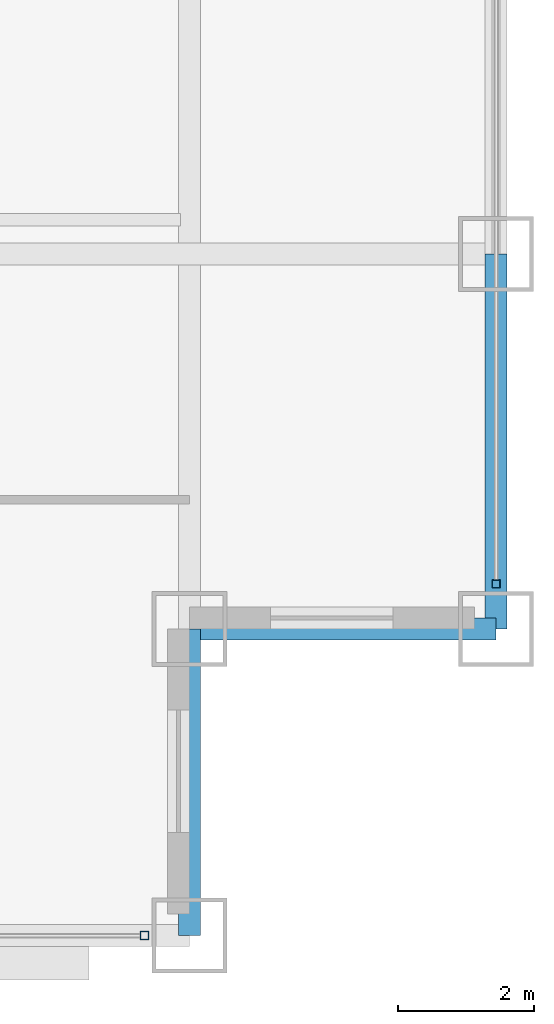
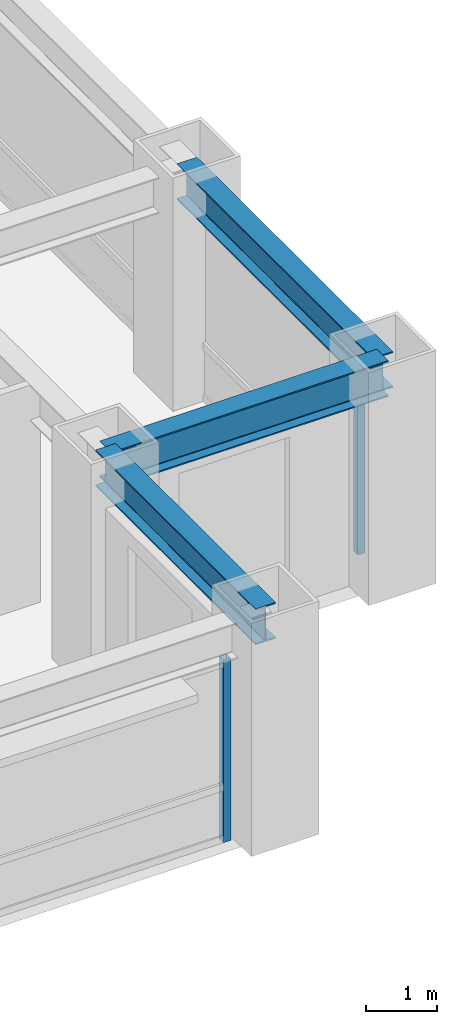
# One storey, part 8 of 28: 3 beams, 2 members, 2 elements without a shape of their own.
"""IFC4 building model written with IfcOpenShell, lengths in metres."""

from ifc_helpers import new_model, si_unit, direction, frame, origin, origin_2d, place, context, subcontext, project, spatial, hollow_rectangle, i_section, extrude, source, transform, mapped, material, material_profile, profile_set, type_object, element, aggregate, save


model = new_model("IFC4")

# Units and contexts
model_context = context("Model", 3, precision=1e-05, world=origin(), true_north=direction((0.0, 1.0)))
body_context = subcontext(model_context, "Body", "Model", "MODEL_VIEW")
ifc_project = project(units=[si_unit("LENGTHUNIT", "METRE"), si_unit("AREAUNIT", "SQUARE_METRE"), si_unit("VOLUMEUNIT", "CUBIC_METRE"), si_unit("PLANEANGLEUNIT", "RADIAN"), si_unit("MASSUNIT", "GRAM", prefix="KILO")], contexts=[model_context])

# Site, building, storey
site_placement = place(None, origin())
site = spatial("IfcSite", under=ifc_project, at=site_placement, CompositionType="ELEMENT")
building_placement = place(site_placement, origin())
building = spatial("IfcBuilding", under=site, at=building_placement, Name="Khorayat Bourse Tower", CompositionType="ELEMENT")
storey_placement = place(building_placement, frame((0.0, 0.0, 187.10009765625)))
storey = spatial("IfcBuildingStorey", under=building, at=storey_placement, Name="L43", CompositionType="ELEMENT", Elevation=187.10009765625)

# Beams
ifc_material_1 = material(Name="Steel ASTM A992 Grade 50", Category="steel")
ifc_material_profile_1 = material_profile(ifc_material_1, i_section(OverallWidth=0.324951171875, OverallDepth=0.615966796875, WebThickness=0.013916015625, FlangeThickness=0.021484375, FilletRadius=0.01611328125, at=origin_2d()), Name="W610X174")
ifc_profile_set_1 = profile_set([ifc_material_profile_1], Name="Steel ASTM A992 Grade 50")
beam_type = type_object("IfcBeamType", Name="BM-SPAN-610", PredefinedType="SPANDREL", material=ifc_profile_set_1)
shared_shape_1 = source(origin(), body_context, "Body", "SweptSolid", [
    extrude(i_section(OverallWidth=0.324951171875, OverallDepth=0.615966796875, WebThickness=0.013916015625, FlangeThickness=0.021484375, FilletRadius=0.01611328125, at=origin_2d()), origin(), (0.0, 0.0, 1.0), 5.5),
])
beam_placement = place(storey_placement, frame((30.0, -25.5, 3.471923828125), z_axis=(0.0, 1.0, 0.0), x_axis=(-1.0, 0.0, 0.0)))
element("IfcBeam", 1, at=beam_placement, inside=storey, type_object=beam_type, Name="L43 BM-SPAN-610 BM-L43-SPN-034", PredefinedType="SPANDREL", context=body_context, shape_type="MappedRepresentation", body=[
    mapped(shared_shape_1, transform((0.0, 0.0, 0.0), scale=1.0)),
])
shared_shape_2 = source(origin(), body_context, "Body", "SweptSolid", [
    extrude(i_section(OverallWidth=0.324951171875, OverallDepth=0.615966796875, WebThickness=0.013916015625, FlangeThickness=0.021484375, FilletRadius=0.01611328125, at=origin_2d()), origin(), (0.0, 0.0, 1.0), 4.5),
])
for number, where, z_axis, x_axis, name in (
    (2, (25.5, -30.0, 3.471923828125), (0.0, 1.0, 0.0), (-1.0, 0.0, 0.0), "L43 BM-SPAN-610 BM-L43-SPN-032"),
    (3, (25.5, -25.5, 3.471923828125), (1.0, 0.0, 0.0), (0.0, 1.0, 0.0), "L43 BM-SPAN-610 BM-L43-SPN-033"),
):
    element("IfcBeam", number, at=place(storey_placement, frame(where, z_axis=z_axis, x_axis=x_axis)), inside=storey, type_object=beam_type, Name=name, PredefinedType="SPANDREL", context=body_context, shape_type="MappedRepresentation", body=[
        mapped(shared_shape_2, transform((0.0, 0.0, 0.0), scale=1.0)),
    ])

# Curtain wall, member
ifc_material_2 = material(Name="Aluminium EN AW-6063 T6", Category="aluminium")
curtain_wall_type = type_object("IfcCurtainWallType", Name="CW-SYS-03", PredefinedType="NOTDEFINED", material=ifc_material_2)
curtain_wall_1_placement = place(storey_placement, origin())
curtain_wall_1 = element("IfcCurtainWall", 4, at=curtain_wall_1_placement, inside=storey, type_object=curtain_wall_type, Name="L43 Curtain Wall CW-L43-S1", PredefinedType="NOTDEFINED")
ifc_material_profile_2 = material_profile(ifc_material_2, hollow_rectangle(XDim=0.1201171875, YDim=0.1201171875, WallThickness=0.0048828125, at=origin_2d()), Name="ALU 120x120x5")
ifc_profile_set_2 = profile_set([ifc_material_profile_2], Name="Aluminium EN AW-6063 T6")
member_type = type_object("IfcMemberType", Name="CWM-VERT-120", PredefinedType="MULLION", material=ifc_profile_set_2)
shared_shape_3 = source(origin(), body_context, "Body", "SweptSolid", [
    extrude(hollow_rectangle(XDim=0.1201171875, YDim=0.1201171875, WallThickness=0.0048828125, at=origin_2d()), origin(), (0.0, 0.0, 1.0), 3.1298828125),
])
member_1_placement = place(storey_placement, frame((24.840087890625, -30.0, 0.0), z_axis=(0.0, 0.0, 1.0), x_axis=(0.0, 1.0, 0.0)))
member_1 = element("IfcMember", 5, at=member_1_placement, type_object=member_type, Name="CW-L43-S1 Vertical Mullion 3", PredefinedType="MULLION", context=body_context, shape_type="MappedRepresentation", body=[
    mapped(shared_shape_3, transform((0.0, 0.0, 0.0), scale=1.0)),
])
aggregate(curtain_wall_1, [member_1])

curtain_wall_2_placement = place(storey_placement, origin())
curtain_wall_2 = element("IfcCurtainWall", 6, at=curtain_wall_2_placement, inside=storey, type_object=curtain_wall_type, Name="L43 Curtain Wall CW-L43-E1", PredefinedType="NOTDEFINED")
member_2_placement = place(storey_placement, frame((30.0, -24.840087890625, 0.0), z_axis=(0.0, 0.0, 1.0), x_axis=(-1.0, 0.0, 0.0)))
member_2 = element("IfcMember", 7, at=member_2_placement, type_object=member_type, Name="CW-L43-E1 Vertical Mullion 1", PredefinedType="MULLION", context=body_context, shape_type="MappedRepresentation", body=[
    mapped(shared_shape_3, transform((0.0, 0.0, 0.0), scale=1.0)),
])
aggregate(curtain_wall_2, [member_2])

save(model, "model.ifc")
